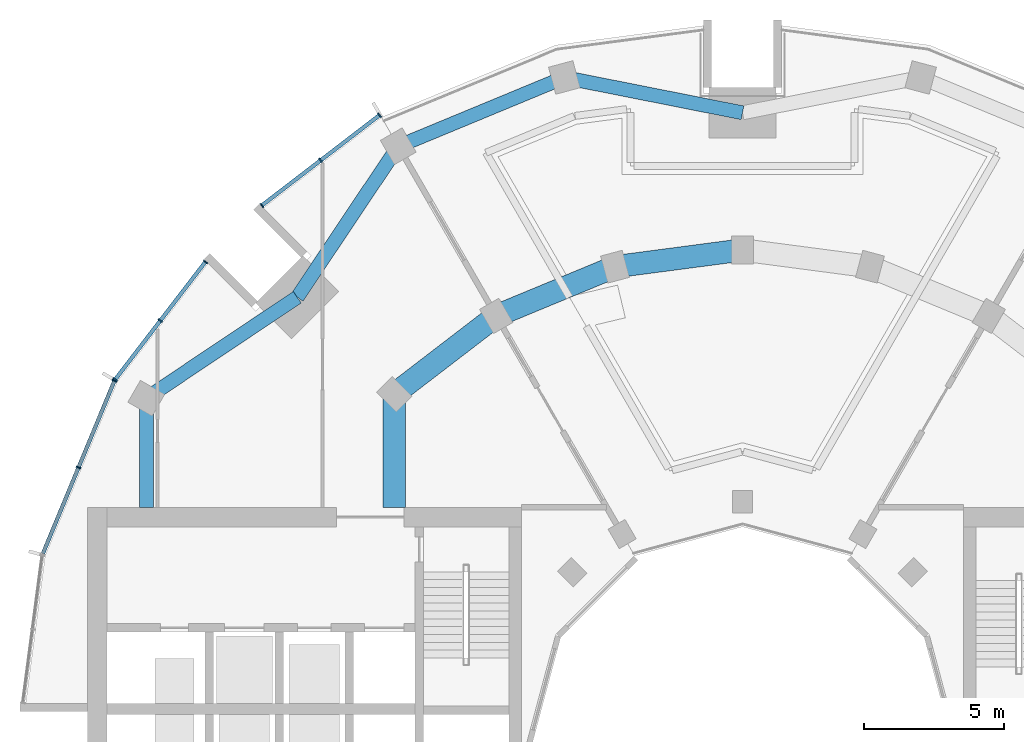
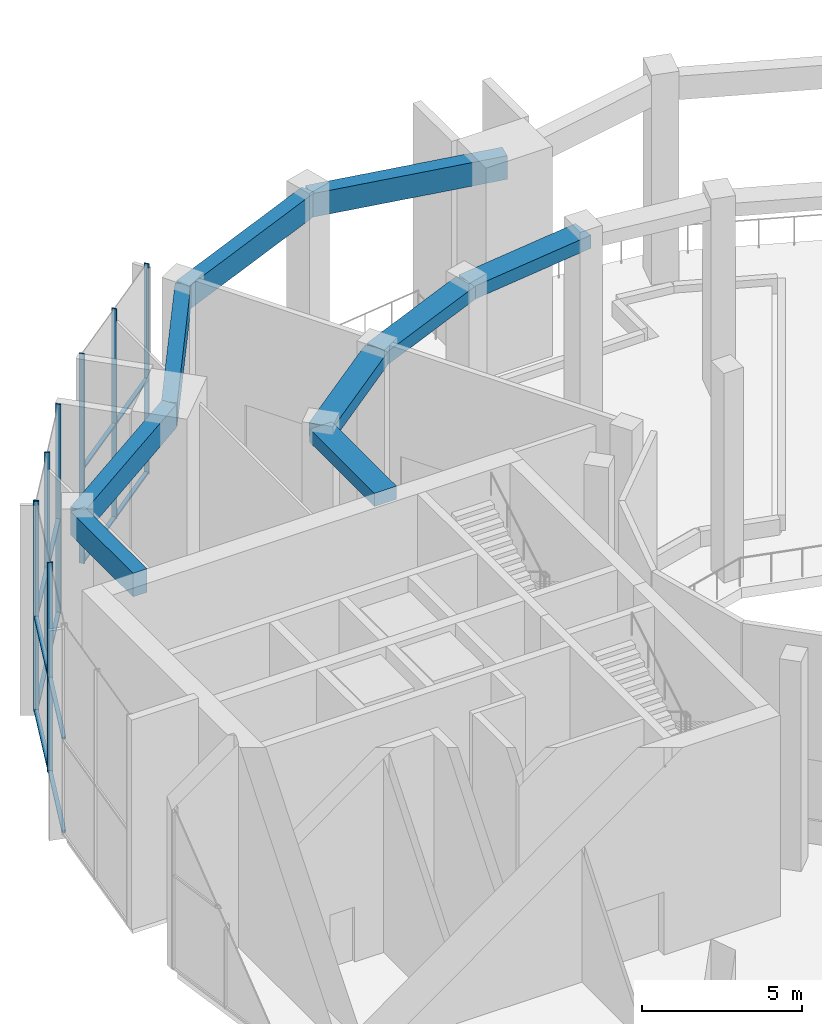
# One storey, part 7 of 18: 20 members, 9 beams, 3 elements without a shape of their own.
"""IFC4 building model written with IfcOpenShell, lengths in metres."""

from ifc_helpers import new_model, si_unit, direction, frame, origin, origin_2d, place, context, subcontext, project, spatial, rectangle, extrude, material, layer, layer_set, material_profile, profile_set, type_object, element, aggregate, save


model = new_model("IFC4")

# Units and contexts
model_context = context("Model", 3, precision=1e-05, world=origin(), true_north=direction((0.0, 1.0)))
body_context = subcontext(model_context, "Body", "Model", "MODEL_VIEW")
ifc_project = project(units=[si_unit("LENGTHUNIT", "METRE"), si_unit("AREAUNIT", "SQUARE_METRE"), si_unit("VOLUMEUNIT", "CUBIC_METRE"), si_unit("PLANEANGLEUNIT", "RADIAN"), si_unit("MASSUNIT", "GRAM", prefix="KILO")], contexts=[model_context])

# Site, building, storey
site_placement = place(None, origin())
site = spatial("IfcSite", under=ifc_project, at=site_placement, CompositionType="ELEMENT")
building_placement = place(site_placement, origin())
building = spatial("IfcBuilding", under=site, at=building_placement, Name="Torre Brocal", CompositionType="ELEMENT")
storey_placement = place(building_placement, frame((0.0, 0.0, 149.699951171875)))
storey = spatial("IfcBuildingStorey", under=building, at=storey_placement, Name="L35", CompositionType="ELEMENT", Elevation=149.699951171875)

# Curtain wall, members
ifc_material_1 = material(Name="Aluminium and glass", Category="aluminium")
ifc_layer = layer(ifc_material_1, 0.199951171875)
ifc_layer_set = layer_set([ifc_layer], Name="Aluminium and glass")
curtain_wall_type = type_object("IfcCurtainWallType", Name="CW-4 CURTAIN WALL 8000 HIGH", PredefinedType="NOTDEFINED", material=ifc_layer_set)
curtain_wall_1_placement = place(storey_placement, origin())
curtain_wall_1 = element("IfcCurtainWall", 1, at=curtain_wall_1_placement, inside=storey, type_object=curtain_wall_type, Name="CW-4 RUN 9", PredefinedType="NOTDEFINED")
ifc_material_2 = material(Name="Aluminium, dark anodised", Category="aluminium")
ifc_material_profile_1 = material_profile(ifc_material_2, rectangle(XDim=0.179931640625, YDim=0.050048828125, at=origin_2d()), Name="CW-4 MULLION 50X180")
ifc_profile_set_1 = profile_set([ifc_material_profile_1], Name="Aluminium, dark anodised")
member_type_1 = type_object("IfcMemberType", Name="CW-4 MULLION 50X180", PredefinedType="MULLION", material=ifc_profile_set_1)
member_1_placement = place(storey_placement, frame((67.030517578125, 97.4140625, 0.0), z_axis=(0.0, 0.0, 1.0), x_axis=(0.60876142905, -0.793353340259, 0.0)))
member_1 = element("IfcMember", 2, at=member_1_placement, type_object=member_type_1, Name="CW4-1 mullion 1", PredefinedType="MULLION", context=body_context, shape_type="SweptSolid", body=[
    extrude(rectangle(XDim=0.179931640625, YDim=0.050048828125, at=origin_2d()), origin(), (0.0, 0.0, 1.0), 8.0),
])
member_2_placement = place(storey_placement, frame((64.9287109375, 95.80126953125, 0.0), z_axis=(0.0, 0.0, 1.0), x_axis=(0.60876142905, -0.793353340259, 0.0)))
member_2 = element("IfcMember", 3, at=member_2_placement, type_object=member_type_1, Name="CW4-1 mullion 2", PredefinedType="MULLION", context=body_context, shape_type="SweptSolid", body=[
    extrude(rectangle(XDim=0.179931640625, YDim=0.050048828125, at=origin_2d()), origin(), (0.0, 0.0, 1.0), 8.0),
])
member_3_placement = place(storey_placement, frame((62.82666015625, 94.188232421875, 0.0), z_axis=(0.0, 0.0, 1.0), x_axis=(0.60876142905, -0.793353340259, 0.0)))
member_3 = element("IfcMember", 4, at=member_3_placement, type_object=member_type_1, Name="CW4-1 mullion 3", PredefinedType="MULLION", context=body_context, shape_type="SweptSolid", body=[
    extrude(rectangle(XDim=0.179931640625, YDim=0.050048828125, at=origin_2d()), origin(), (0.0, 0.0, 1.0), 8.0),
])

curtain_wall_2_placement = place(storey_placement, origin())
curtain_wall_2 = element("IfcCurtainWall", 5, at=curtain_wall_2_placement, inside=storey, type_object=curtain_wall_type, Name="CW-4 RUN 10", PredefinedType="NOTDEFINED")
member_4_placement = place(storey_placement, frame((60.811767578125, 92.17333984375, 0.0), z_axis=(0.0, 0.0, 1.0), x_axis=(0.793353340259, -0.60876142905, 0.0)))
member_4 = element("IfcMember", 6, at=member_4_placement, type_object=member_type_1, Name="CW4-1 mullion 1", PredefinedType="MULLION", context=body_context, shape_type="SweptSolid", body=[
    extrude(rectangle(XDim=0.179931640625, YDim=0.050048828125, at=origin_2d()), origin(), (0.0, 0.0, 1.0), 8.0),
])
member_5_placement = place(storey_placement, frame((59.19873046875, 90.0712890625, 0.0), z_axis=(0.0, 0.0, 1.0), x_axis=(0.793353340259, -0.60876142905, 0.0)))
member_5 = element("IfcMember", 7, at=member_5_placement, type_object=member_type_1, Name="CW4-1 mullion 2", PredefinedType="MULLION", context=body_context, shape_type="SweptSolid", body=[
    extrude(rectangle(XDim=0.179931640625, YDim=0.050048828125, at=origin_2d()), origin(), (0.0, 0.0, 1.0), 8.0),
])
member_6_placement = place(storey_placement, frame((57.5859375, 87.969482421875, 0.0), z_axis=(0.0, 0.0, 1.0), x_axis=(0.793353340259, -0.60876142905, 0.0)))
member_6 = element("IfcMember", 8, at=member_6_placement, type_object=member_type_1, Name="CW4-1 mullion 3", PredefinedType="MULLION", context=body_context, shape_type="SweptSolid", body=[
    extrude(rectangle(XDim=0.179931640625, YDim=0.050048828125, at=origin_2d()), origin(), (0.0, 0.0, 1.0), 8.0),
])

curtain_wall_3_placement = place(storey_placement, origin())
curtain_wall_3 = element("IfcCurtainWall", 9, at=curtain_wall_3_placement, inside=storey, type_object=curtain_wall_type, Name="CW-4 RUN 11", PredefinedType="NOTDEFINED")
member_7_placement = place(storey_placement, frame((57.56103515625, 87.926513671875, 0.0), z_axis=(0.0, 0.0, 1.0), x_axis=(0.923879532525, -0.382683432333, 0.0)))
member_7 = element("IfcMember", 10, at=member_7_placement, type_object=member_type_1, Name="CW4-1 mullion 1", PredefinedType="MULLION", context=body_context, shape_type="SweptSolid", body=[
    extrude(rectangle(XDim=0.179931640625, YDim=0.050048828125, at=origin_2d()), origin(), (0.0, 0.0, 1.0), 8.0),
])
member_8_placement = place(storey_placement, frame((56.277099609375, 84.826416015625, 0.0), z_axis=(0.0, 0.0, 1.0), x_axis=(0.923879532525, -0.382683432333, 0.0)))
member_8 = element("IfcMember", 11, at=member_8_placement, type_object=member_type_1, Name="CW4-1 mullion 2", PredefinedType="MULLION", context=body_context, shape_type="SweptSolid", body=[
    extrude(rectangle(XDim=0.179931640625, YDim=0.050048828125, at=origin_2d()), origin(), (0.0, 0.0, 1.0), 8.0),
])

# Member
ifc_material_3 = material(Name="Aluminium, dark anodised", Category="aluminium")
ifc_material_profile_2 = material_profile(ifc_material_3, rectangle(XDim=0.139892578125, YDim=0.070068359375, at=origin_2d()), Name="CW-4 TRANSOM 140X70")
ifc_profile_set_2 = profile_set([ifc_material_profile_2], Name="Aluminium, dark anodised")
member_type_2 = type_object("IfcMemberType", Name="CW-4 TRANSOM 140X70", PredefinedType="USERDEFINED", material=ifc_profile_set_2)
member_9_placement = place(storey_placement, frame((67.0107421875, 97.39892578125, 0.03515625), z_axis=(-0.793335698171, -0.608784419977, 0.0), x_axis=(0.608784419977, -0.793335698171, 0.0)))
member_9 = element("IfcMember", 12, at=member_9_placement, type_object=member_type_2, Name="CW4-1 transom 1.1", ObjectType="TRANSOM", PredefinedType="USERDEFINED", context=body_context, shape_type="SweptSolid", body=[
    extrude(rectangle(XDim=0.139892578125, YDim=0.070068359375, at=origin_2d()), origin(), (0.0, 0.0, 1.0), 2.599365234375),
])

member_10_placement = place(storey_placement, frame((67.0107421875, 97.39892578125, 3.60009765625), z_axis=(-0.793335698171, -0.608784419977, 0.0), x_axis=(0.608784419977, -0.793335698171, 0.0)))
member_10 = element("IfcMember", 13, at=member_10_placement, type_object=member_type_2, Name="CW4-1 transom 1.2", ObjectType="TRANSOM", PredefinedType="USERDEFINED", context=body_context, shape_type="SweptSolid", body=[
    extrude(rectangle(XDim=0.139892578125, YDim=0.070068359375, at=origin_2d()), origin(), (0.0, 0.0, 1.0), 2.599365234375),
])

member_11_placement = place(storey_placement, frame((64.90869140625, 95.785888671875, 0.03515625), z_axis=(-0.79338105877, -0.608725303881, 0.0), x_axis=(0.608725303881, -0.79338105877, 0.0)))
member_11 = element("IfcMember", 14, at=member_11_placement, type_object=member_type_2, Name="CW4-1 transom 2.1", ObjectType="TRANSOM", PredefinedType="USERDEFINED", context=body_context, shape_type="SweptSolid", body=[
    extrude(rectangle(XDim=0.139892578125, YDim=0.070068359375, at=origin_2d()), origin(), (0.0, 0.0, 1.0), 2.599365234375),
])

member_12_placement = place(storey_placement, frame((64.90869140625, 95.785888671875, 3.60009765625), z_axis=(-0.79338105877, -0.608725303881, 0.0), x_axis=(0.608725303881, -0.79338105877, 0.0)))
member_12 = element("IfcMember", 15, at=member_12_placement, type_object=member_type_2, Name="CW4-1 transom 2.2", ObjectType="TRANSOM", PredefinedType="USERDEFINED", context=body_context, shape_type="SweptSolid", body=[
    extrude(rectangle(XDim=0.139892578125, YDim=0.070068359375, at=origin_2d()), origin(), (0.0, 0.0, 1.0), 2.599365234375),
])

aggregate(curtain_wall_1, [member_1, member_2, member_3, member_9, member_10, member_11, member_12])

member_13_placement = place(storey_placement, frame((60.79638671875, 92.153564453125, 0.03515625), z_axis=(-0.608725303881, -0.79338105877, 0.0), x_axis=(0.79338105877, -0.608725303881, 0.0)))
member_13 = element("IfcMember", 16, at=member_13_placement, type_object=member_type_2, Name="CW4-1 transom 1.1", ObjectType="TRANSOM", PredefinedType="USERDEFINED", context=body_context, shape_type="SweptSolid", body=[
    extrude(rectangle(XDim=0.139892578125, YDim=0.070068359375, at=origin_2d()), origin(), (0.0, 0.0, 1.0), 2.599365234375),
])

member_14_placement = place(storey_placement, frame((60.79638671875, 92.153564453125, 3.60009765625), z_axis=(-0.608725303881, -0.79338105877, 0.0), x_axis=(0.79338105877, -0.608725303881, 0.0)))
member_14 = element("IfcMember", 17, at=member_14_placement, type_object=member_type_2, Name="CW4-1 transom 1.2", ObjectType="TRANSOM", PredefinedType="USERDEFINED", context=body_context, shape_type="SweptSolid", body=[
    extrude(rectangle(XDim=0.139892578125, YDim=0.070068359375, at=origin_2d()), origin(), (0.0, 0.0, 1.0), 2.599365234375),
])

member_15_placement = place(storey_placement, frame((59.18359375, 90.051513671875, 0.03515625), z_axis=(-0.608784419977, -0.793335698171, 0.0), x_axis=(0.793335698171, -0.608784419977, 0.0)))
member_15 = element("IfcMember", 18, at=member_15_placement, type_object=member_type_2, Name="CW4-1 transom 2.1", ObjectType="TRANSOM", PredefinedType="USERDEFINED", context=body_context, shape_type="SweptSolid", body=[
    extrude(rectangle(XDim=0.139892578125, YDim=0.070068359375, at=origin_2d()), origin(), (0.0, 0.0, 1.0), 2.599365234375),
])

member_16_placement = place(storey_placement, frame((59.18359375, 90.051513671875, 3.60009765625), z_axis=(-0.608784419977, -0.793335698171, 0.0), x_axis=(0.793335698171, -0.608784419977, 0.0)))
member_16 = element("IfcMember", 19, at=member_16_placement, type_object=member_type_2, Name="CW4-1 transom 2.2", ObjectType="TRANSOM", PredefinedType="USERDEFINED", context=body_context, shape_type="SweptSolid", body=[
    extrude(rectangle(XDim=0.139892578125, YDim=0.070068359375, at=origin_2d()), origin(), (0.0, 0.0, 1.0), 2.599365234375),
])

aggregate(curtain_wall_2, [member_4, member_5, member_6, member_13, member_14, member_15, member_16])

member_17_placement = place(storey_placement, frame((57.551513671875, 87.9033203125, 0.03515625), z_axis=(-0.382658376168, -0.92388991073, 0.0), x_axis=(0.92388991073, -0.382658376168, 0.0)))
member_17 = element("IfcMember", 20, at=member_17_placement, type_object=member_type_2, Name="CW4-1 transom 1.1", ObjectType="TRANSOM", PredefinedType="USERDEFINED", context=body_context, shape_type="SweptSolid", body=[
    extrude(rectangle(XDim=0.139892578125, YDim=0.070068359375, at=origin_2d()), origin(), (0.0, 0.0, 1.0), 3.305419921875),
])

member_18_placement = place(storey_placement, frame((57.551513671875, 87.9033203125, 3.60009765625), z_axis=(-0.382658376168, -0.92388991073, 0.0), x_axis=(0.92388991073, -0.382658376168, 0.0)))
member_18 = element("IfcMember", 21, at=member_18_placement, type_object=member_type_2, Name="CW4-1 transom 1.2", ObjectType="TRANSOM", PredefinedType="USERDEFINED", context=body_context, shape_type="SweptSolid", body=[
    extrude(rectangle(XDim=0.139892578125, YDim=0.070068359375, at=origin_2d()), origin(), (0.0, 0.0, 1.0), 3.305419921875),
])

member_19_placement = place(storey_placement, frame((56.267333984375, 84.80322265625, 0.03515625), z_axis=(-0.382658376168, -0.92388991073, 0.0), x_axis=(0.92388991073, -0.382658376168, 0.0)))
member_19 = element("IfcMember", 22, at=member_19_placement, type_object=member_type_2, Name="CW4-1 transom 2.1", ObjectType="TRANSOM", PredefinedType="USERDEFINED", context=body_context, shape_type="SweptSolid", body=[
    extrude(rectangle(XDim=0.139892578125, YDim=0.070068359375, at=origin_2d()), origin(), (0.0, 0.0, 1.0), 3.305419921875),
])

member_20_placement = place(storey_placement, frame((56.267333984375, 84.80322265625, 3.60009765625), z_axis=(-0.382658376168, -0.92388991073, 0.0), x_axis=(0.92388991073, -0.382658376168, 0.0)))
member_20 = element("IfcMember", 23, at=member_20_placement, type_object=member_type_2, Name="CW4-1 transom 2.2", ObjectType="TRANSOM", PredefinedType="USERDEFINED", context=body_context, shape_type="SweptSolid", body=[
    extrude(rectangle(XDim=0.139892578125, YDim=0.070068359375, at=origin_2d()), origin(), (0.0, 0.0, 1.0), 3.305419921875),
])

aggregate(curtain_wall_3, [member_7, member_8, member_17, member_18, member_19, member_20])

# Beams
ifc_material_4 = material(Name="Concrete C50", Category="concrete")
ifc_material_profile_3 = material_profile(ifc_material_4, rectangle(XDim=0.800048828125, YDim=0.5, at=origin_2d()), Name="RC 800X500")
ifc_profile_set_3 = profile_set([ifc_material_profile_3], Name="Concrete C50")
beam_type_1 = type_object("IfcBeamType", Name="RC BEAM 800X500 C50 TOP 7680", PredefinedType="BEAM", material=ifc_profile_set_3)
beam_1_placement = place(storey_placement, frame((80.0, 92.60009765625, 7.429931640625), z_axis=(-0.991440544449, -0.130558978332, 0.0), x_axis=(0.130558978332, -0.991440544449, 0.0)))
element("IfcBeam", 24, at=beam_1_placement, inside=storey, type_object=beam_type_1, Name="Beam BT-23", PredefinedType="BEAM", context=body_context, shape_type="SweptSolid", body=[
    extrude(rectangle(XDim=0.800048828125, YDim=0.5, at=origin_2d()), origin(), (0.0, 0.0, 1.0), 4.594482421875),
])
beam_2_placement = place(storey_placement, frame((75.44482421875, 92.000244140625, 7.429931640625), z_axis=(-0.923878240166, -0.382686552348, 0.0), x_axis=(0.382686552348, -0.923878240166, 0.0)))
element("IfcBeam", 25, at=beam_2_placement, inside=storey, type_object=beam_type_1, Name="Beam BT-23", PredefinedType="BEAM", context=body_context, shape_type="SweptSolid", body=[
    extrude(rectangle(XDim=0.800048828125, YDim=0.5, at=origin_2d()), origin(), (0.0, 0.0, 1.0), 4.5947265625),
])
beam_3_placement = place(storey_placement, frame((71.199951171875, 90.241943359375, 7.429931640625), z_axis=(-0.793358265959, -0.6087550097, 0.0), x_axis=(0.6087550097, -0.793358265959, 0.0)))
element("IfcBeam", 26, at=beam_3_placement, inside=storey, type_object=beam_type_1, Name="Beam BT-23", PredefinedType="BEAM", context=body_context, shape_type="SweptSolid", body=[
    extrude(rectangle(XDim=0.800048828125, YDim=0.5, at=origin_2d()), origin(), (0.0, 0.0, 1.0), 4.594482421875),
])
beam_4_placement = place(storey_placement, frame((67.554931640625, 87.445068359375, 7.429931640625), z_axis=(0.0, -1.0, 0.0), x_axis=(1.0, 0.0, 0.0)))
element("IfcBeam", 27, at=beam_4_placement, inside=storey, type_object=beam_type_1, Name="Beam BT-23", PredefinedType="BEAM", context=body_context, shape_type="SweptSolid", body=[
    extrude(rectangle(XDim=0.800048828125, YDim=0.5, at=origin_2d()), origin(), (0.0, 0.0, 1.0), 4.045166015625),
])
ifc_material_5 = material(Name="Concrete C50", Category="concrete")
ifc_material_profile_4 = material_profile(ifc_material_5, rectangle(XDim=0.5, YDim=0.89990234375, at=origin_2d()), Name="RC 500X900")
ifc_profile_set_4 = profile_set([ifc_material_profile_4], Name="Concrete C50")
beam_type_2 = type_object("IfcBeamType", Name="RC SPANDREL BEAM 500X900 C50 TOP 7680", PredefinedType="SPANDREL", material=ifc_profile_set_4)
beam_5_placement = place(storey_placement, frame((80.0, 97.5, 7.22998046875), z_axis=(-0.980924907484, 0.194387051723, 0.0), x_axis=(-0.194387051723, -0.980924907484, 0.0)))
element("IfcBeam", 28, at=beam_5_placement, inside=storey, type_object=beam_type_2, Name="Beam BT-24", PredefinedType="SPANDREL", context=body_context, shape_type="SweptSolid", body=[
    extrude(rectangle(XDim=0.5, YDim=0.89990234375, at=origin_2d()), origin(), (0.0, 0.0, 1.0), 6.49072265625),
])
beam_6_placement = place(storey_placement, frame((73.633056640625, 98.76171875, 7.22998046875), z_axis=(-0.923882462513, -0.382676358639, 0.0), x_axis=(0.382676358639, -0.923882462513, 0.0)))
element("IfcBeam", 29, at=beam_6_placement, inside=storey, type_object=beam_type_2, Name="Beam BT-24", PredefinedType="SPANDREL", context=body_context, shape_type="SweptSolid", body=[
    extrude(rectangle(XDim=0.5, YDim=0.89990234375, at=origin_2d()), origin(), (0.0, 0.0, 1.0), 6.421875),
])
for number, where, z_axis, x_axis, name in (
    (30, (67.699951171875, 96.30419921875, 7.22998046875), (-0.556157602282, -0.831076844476, 0.0), (0.831076844476, -0.556157602282, 0.0), "Beam BT-24"),
    (31, (64.090087890625, 90.909912109375, 7.22998046875), (-0.831076844476, -0.556157602282, 0.0), (0.556157602282, -0.831076844476, 0.0), "Beam BT-24"),
):
    element("IfcBeam", number, at=place(storey_placement, frame(where, z_axis=z_axis, x_axis=x_axis)), inside=storey, type_object=beam_type_2, Name=name, PredefinedType="SPANDREL", context=body_context, shape_type="SweptSolid", body=[
        extrude(rectangle(XDim=0.5, YDim=0.89990234375, at=origin_2d()), origin(), (0.0, 0.0, 1.0), 6.49072265625),
    ])
beam_7_placement = place(storey_placement, frame((58.69580078125, 87.300048828125, 7.22998046875), z_axis=(0.0, -1.0, 0.0), x_axis=(1.0, 0.0, 0.0)))
element("IfcBeam", 32, at=beam_7_placement, inside=storey, type_object=beam_type_2, Name="Beam BT-24", PredefinedType="SPANDREL", context=body_context, shape_type="SweptSolid", body=[
    extrude(rectangle(XDim=0.5, YDim=0.89990234375, at=origin_2d()), origin(), (0.0, 0.0, 1.0), 3.900146484375),
])

save(model, "model.ifc")
